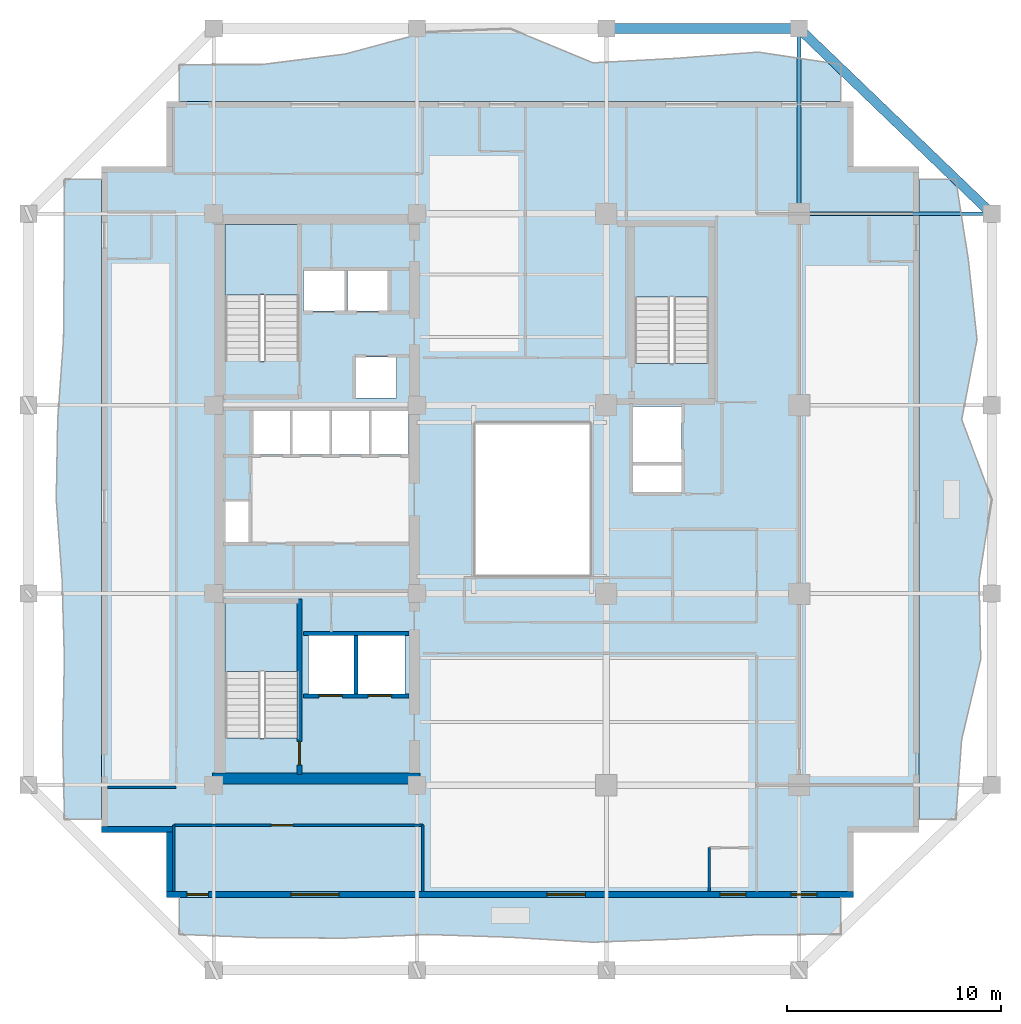
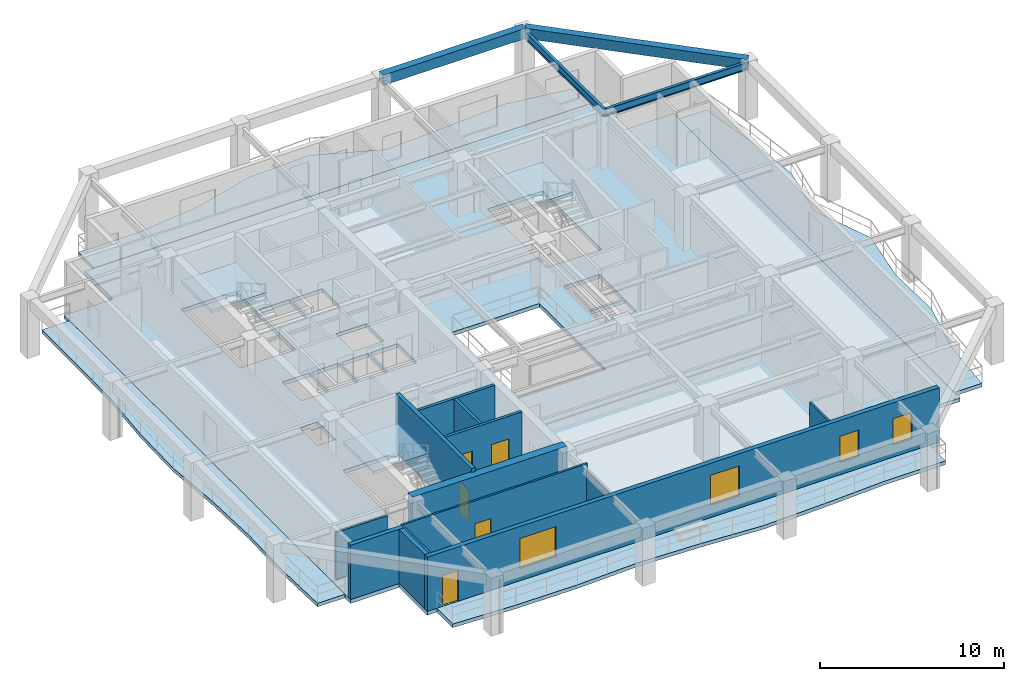
# One storey, part 2 of 10: 13 walls, 8 slabs, 5 doors, 4 beams, 4 windows, 9 openings, 3 elements without a shape of their own.
"""IFC4 building model written with IfcOpenShell, lengths in metres."""

from ifc_helpers import new_model, si_unit, direction, frame, frame_2d, origin, origin_2d, place, context, subcontext, project, spatial, polyline, rectangle, i_section, outline, extrude, material, layer, layer_set, material_profile, profile_set, type_object, element, fill, aggregate, save


model = new_model("IFC4")

# Units and contexts
model_context = context("Model", 3, precision=1e-05, world=origin(), true_north=direction((0.0, 1.0)))
body_context = subcontext(model_context, "Body", "Model", "MODEL_VIEW")
ifc_project = project(units=[si_unit("LENGTHUNIT", "METRE"), si_unit("AREAUNIT", "SQUARE_METRE"), si_unit("VOLUMEUNIT", "CUBIC_METRE"), si_unit("PLANEANGLEUNIT", "RADIAN"), si_unit("MASSUNIT", "GRAM", prefix="KILO")], contexts=[model_context])

# Site, building, storey
site_placement = place(None, origin())
site = spatial("IfcSite", under=ifc_project, at=site_placement, CompositionType="ELEMENT")
building_placement = place(site_placement, origin())
building = spatial("IfcBuilding", under=site, at=building_placement, Name="Kundavana Baori Tower", CompositionType="ELEMENT")
storey_placement = place(building_placement, frame((0.0, 0.0, 111.699951171875)))
storey = spatial("IfcBuildingStorey", under=building, at=storey_placement, Name="L26", CompositionType="ELEMENT", Elevation=111.699951171875)

# Beams
ifc_material_1 = material(Name="Concrete C50/60", Category="concrete")
ifc_material_profile_1 = material_profile(ifc_material_1, rectangle(XDim=0.449951171875, YDim=0.679931640625, at=origin_2d()), Name="RC BM 450x680")
ifc_profile_set_1 = profile_set([ifc_material_profile_1], Name="Concrete C50/60")
beam_type_1 = type_object("IfcBeamType", Name="BM-PF-680", PredefinedType="SPANDREL", material=ifc_profile_set_1)
beam_1_placement = place(storey_placement, frame((33.800048828125, 50.60009765625, 3.510009765625), z_axis=(1.0, 0.0, 0.0), x_axis=(0.0, 1.0, 0.0)))
element("IfcBeam", 1, at=beam_1_placement, inside=storey, type_object=beam_type_1, Name="L26 Perimeter Frame Ring Beam N3", PredefinedType="SPANDREL", context=body_context, shape_type="SweptSolid", body=[
    extrude(rectangle(XDim=0.449951171875, YDim=0.679931640625, at=origin_2d()), origin(), (0.0, 0.0, 1.0), 9.0),
])
beam_2_placement = place(storey_placement, frame((42.800048828125, 50.60009765625, 3.510009765625), z_axis=(0.720981122985, -0.692954702921, 0.0), x_axis=(0.692954702921, 0.720981122985, 0.0)))
element("IfcBeam", 2, at=beam_2_placement, inside=storey, type_object=beam_type_1, Name="L26 Notched Corner Perimeter Beam NE", PredefinedType="SPANDREL", context=body_context, shape_type="SweptSolid", body=[
    extrude(rectangle(XDim=0.449951171875, YDim=0.679931640625, at=origin_2d()), origin(), (0.0, 0.0, 1.0), 12.48291015625),
])
ifc_material_2 = material(Name="Structural Steel S355JR", Category="steel")
ifc_material_profile_2 = material_profile(ifc_material_2, i_section(OverallWidth=0.179931640625, OverallDepth=0.5, WebThickness=0.01025390625, FlangeThickness=0.01708984375, FilletRadius=0.01708984375, at=origin_2d()), Name="ISMB 500")
ifc_profile_set_2 = profile_set([ifc_material_profile_2], Name="Structural Steel S355JR")
beam_type_2 = type_object("IfcBeamType", Name="BM-TIE-500", PredefinedType="BEAM", material=ifc_profile_set_2)
beam_3_placement = place(storey_placement, frame((42.800048828125, 41.949951171875, 3.35009765625), z_axis=(0.0, 1.0, 0.0), x_axis=(-1.0, 0.0, 0.0)))
element("IfcBeam", 3, at=beam_3_placement, inside=storey, type_object=beam_type_2, Name="L26 North Radial Loggia Tie Beam N4", PredefinedType="BEAM", context=body_context, shape_type="SweptSolid", body=[
    extrude(i_section(OverallWidth=0.179931640625, OverallDepth=0.5, WebThickness=0.01025390625, FlangeThickness=0.01708984375, FilletRadius=0.01708984375, at=origin_2d()), origin(), (0.0, 0.0, 1.0), 8.650146484375),
])
beam_4_placement = place(storey_placement, frame((42.800048828125, 41.949951171875, 3.35009765625), z_axis=(1.0, 0.0, 0.0), x_axis=(0.0, 1.0, 0.0)))
element("IfcBeam", 4, at=beam_4_placement, inside=storey, type_object=beam_type_2, Name="L26 East Radial Loggia Tie Beam E4", PredefinedType="BEAM", context=body_context, shape_type="SweptSolid", body=[
    extrude(i_section(OverallWidth=0.179931640625, OverallDepth=0.5, WebThickness=0.01025390625, FlangeThickness=0.01708984375, FilletRadius=0.01708984375, at=origin_2d()), origin(), (0.0, 0.0, 1.0), 9.0),
])

# Slab
ifc_material_3 = material(Name="Concrete C40/50", Category="concrete")
ifc_layer_1 = layer(ifc_material_3, 0.25, Name="SLB-FLR-250")
ifc_layer_set_1 = layer_set([ifc_layer_1], Name="Concrete C40/50")
slab_type_1 = type_object("IfcSlabType", Name="SLB-FLR-250", PredefinedType="FLOOR", material=ifc_layer_set_1)
slab_1_placement = place(storey_placement, frame((0.0, 0.0, -0.25)))
element("IfcSlab", 5, at=slab_1_placement, inside=storey, type_object=slab_type_1, Name="L26 Structural Floor Slab", PredefinedType="FLOOR", context=body_context, shape_type="SweptSolid", body=[
    extrude(outline(polyline([(13.25, 10.0), (45.35009765625, 10.0), (45.35009765625, 13.050048828125), (48.39990234375, 13.050048828125), (48.39990234375, 44.14990234375), (45.35009765625, 44.14990234375), (45.35009765625, 47.199951171875), (13.25, 47.199951171875), (13.25, 44.14990234375), (10.199951171875, 44.14990234375), (10.199951171875, 13.050048828125), (13.25, 13.050048828125), (13.25, 10.0)]), holes=[polyline([(19.43994140625, 17.4619140625), (19.43994140625, 23.85009765625), (15.97998046875, 23.85009765625), (15.97998046875, 17.4619140625), (19.43994140625, 17.4619140625)]), polyline([(19.43994140625, 35.06201171875), (19.43994140625, 41.449951171875), (15.97998046875, 41.449951171875), (15.97998046875, 35.06201171875), (19.43994140625, 35.06201171875)]), polyline([(38.580078125, 34.9619140625), (38.580078125, 41.35009765625), (35.1201171875, 41.35009765625), (35.1201171875, 34.9619140625), (38.580078125, 34.9619140625)]), polyline([(17.300048828125, 30.699951171875), (19.02001953125, 30.699951171875), (19.02001953125, 32.75), (17.300048828125, 32.75), (17.300048828125, 30.699951171875)]), polyline([(19.139892578125, 30.699951171875), (20.860107421875, 30.699951171875), (20.860107421875, 32.75), (19.139892578125, 32.75), (19.139892578125, 30.699951171875)]), polyline([(20.97998046875, 30.699951171875), (22.699951171875, 30.699951171875), (22.699951171875, 32.75), (20.97998046875, 32.75), (20.97998046875, 30.699951171875)]), polyline([(22.820068359375, 30.699951171875), (24.5400390625, 30.699951171875), (24.5400390625, 32.75), (22.820068359375, 32.75), (22.820068359375, 30.699951171875)]), polyline([(19.64990234375, 37.39990234375), (21.550048828125, 37.39990234375), (21.550048828125, 39.300048828125), (19.64990234375, 39.300048828125), (19.64990234375, 37.39990234375)]), polyline([(21.699951171875, 37.39990234375), (23.60009765625, 37.39990234375), (23.60009765625, 39.300048828125), (21.699951171875, 39.300048828125), (21.699951171875, 37.39990234375)]), polyline([(22.10009765625, 33.35009765625), (24.0, 33.35009765625), (24.0, 35.25), (22.10009765625, 35.25), (22.10009765625, 33.35009765625)]), polyline([(19.8798828125, 19.5), (22.02001953125, 19.5), (22.02001953125, 22.25), (19.8798828125, 22.25), (19.8798828125, 19.5)]), polyline([(22.179931640625, 19.5), (24.3798828125, 19.5), (24.3798828125, 22.25), (22.179931640625, 22.25), (22.179931640625, 19.5)]), polyline([(35.050048828125, 30.35009765625), (37.300048828125, 30.35009765625), (37.300048828125, 32.949951171875), (35.050048828125, 32.949951171875), (35.050048828125, 30.35009765625)]), polyline([(15.949951171875, 26.60009765625), (17.080078125, 26.60009765625), (17.080078125, 28.5), (15.949951171875, 28.5), (15.949951171875, 26.60009765625)]), polyline([(35.050048828125, 28.949951171875), (37.300048828125, 28.949951171875), (37.300048828125, 30.199951171875), (35.050048828125, 30.199951171875), (35.050048828125, 28.949951171875)]), polyline([(27.60009765625, 25.0), (33.10009765625, 25.0), (33.10009765625, 32.199951171875), (27.60009765625, 32.199951171875), (27.60009765625, 25.0)])]), origin(), (0.0, 0.0, 1.0), 0.25),
])

# Stair, slab
ifc_material_4 = material(Name="Concrete C40/50", Category="concrete")
stair_type = type_object("IfcStairType", Name="STR-DOG-1650", PredefinedType="HALF_TURN_STAIR", material=ifc_material_4)
stair_1_placement = place(storey_placement, origin())
stair_1 = element("IfcStair", 6, at=stair_1_placement, inside=storey, type_object=stair_type, Name="L26 Protected Exit Stair ST1", PredefinedType="HALF_TURN_STAIR")
ifc_material_5 = material(Name="Concrete C40/50", Category="concrete")
ifc_layer_2 = layer(ifc_material_5, 0.199951171875, Name="SLB-LND-200")
ifc_layer_set_2 = layer_set([ifc_layer_2], Name="Concrete C40/50")
slab_type_2 = type_object("IfcSlabType", Name="SLB-LND-200", PredefinedType="LANDING", material=ifc_layer_set_2)
slab_2_placement = place(storey_placement, frame((0.0, 0.0, 1.72509765625)))
slab_2 = element("IfcSlab", 7, at=slab_2_placement, type_object=slab_type_2, Name="ST1 landing 1", PredefinedType="LANDING", context=body_context, shape_type="SweptSolid", body=[
    extrude(outline(polyline([(19.43994140625, 20.550048828125), (19.43994140625, 23.85009765625), (15.97998046875, 23.85009765625), (15.97998046875, 20.550048828125), (19.43994140625, 20.550048828125)])), origin(), (0.0, 0.0, 1.0), 0.199951171875),
])
aggregate(stair_1, [slab_2])

stair_2_placement = place(storey_placement, origin())
stair_2 = element("IfcStair", 8, at=stair_2_placement, inside=storey, type_object=stair_type, Name="L26 Protected Exit Stair ST2", PredefinedType="HALF_TURN_STAIR")
slab_3_placement = place(storey_placement, frame((0.0, 0.0, 1.72509765625)))
slab_3 = element("IfcSlab", 9, at=slab_3_placement, type_object=slab_type_2, Name="ST2 landing 1", PredefinedType="LANDING", context=body_context, shape_type="SweptSolid", body=[
    extrude(outline(polyline([(19.43994140625, 38.14990234375), (19.43994140625, 41.449951171875), (15.97998046875, 41.449951171875), (15.97998046875, 38.14990234375), (19.43994140625, 38.14990234375)])), origin(), (0.0, 0.0, 1.0), 0.199951171875),
])
aggregate(stair_2, [slab_3])

stair_3_placement = place(storey_placement, origin())
stair_3 = element("IfcStair", 10, at=stair_3_placement, inside=storey, type_object=stair_type, Name="L26 Protected Exit Stair ST3", PredefinedType="HALF_TURN_STAIR")
slab_4_placement = place(storey_placement, frame((0.0, 0.0, 1.72509765625)))
slab_4 = element("IfcSlab", 11, at=slab_4_placement, type_object=slab_type_2, Name="ST3 landing 1", PredefinedType="LANDING", context=body_context, shape_type="SweptSolid", body=[
    extrude(outline(polyline([(38.580078125, 38.050048828125), (38.580078125, 41.35009765625), (35.1201171875, 41.35009765625), (35.1201171875, 38.050048828125), (38.580078125, 38.050048828125)])), origin(), (0.0, 0.0, 1.0), 0.199951171875),
])
aggregate(stair_3, [slab_4])

# Slabs
ifc_material_6 = material(Name="Concrete C40/50", Category="concrete")
ifc_layer_3 = layer(ifc_material_6, 0.239990234375, Name="SLB-LOG-240")
ifc_layer_set_3 = layer_set([ifc_layer_3], Name="Concrete C40/50")
slab_type_3 = type_object("IfcSlabType", Name="SLB-LOG-240", PredefinedType="FLOOR", material=ifc_layer_set_3)
slab_5_placement = place(storey_placement, frame((0.0, 0.0, -0.239990234375)))
element("IfcSlab", 12, at=slab_5_placement, inside=storey, type_object=slab_type_3, Name="L26 Planted Loggia Balcony Slab S", PredefinedType="FLOOR", context=body_context, shape_type="SweptSolid", body=[
    extrude(outline(polyline([(13.85009765625, 10.0), (44.75, 10.0), (44.75, 8.280029296875), (40.886962890625, 8.263916015625), (37.02490234375, 8.053955078125), (33.1630859375, 7.912109375), (29.300048828125, 8.14501953125), (25.43798828125, 8.27294921875), (21.574951171875, 8.10498046875), (17.7119140625, 8.1201171875), (13.85009765625, 8.280029296875), (13.85009765625, 10.0)])), origin(), (0.0, 0.0, 1.0), 0.239990234375),
])
slab_6_placement = place(storey_placement, frame((0.0, 0.0, -0.239990234375)))
element("IfcSlab", 13, at=slab_6_placement, inside=storey, type_object=slab_type_3, Name="L26 Planted Loggia Balcony Slab E", PredefinedType="FLOOR", context=body_context, shape_type="SweptSolid", body=[
    extrude(outline(polyline([(48.39990234375, 13.64990234375), (48.39990234375, 43.550048828125), (50.1201171875, 43.550048828125), (50.70703125, 39.81201171875), (51.113037109375, 36.074951171875), (50.39892578125, 32.3369140625), (51.800048828125, 28.60009765625), (51.2099609375, 24.862060546875), (51.284912109375, 21.125), (50.39697265625, 17.386962890625), (50.1201171875, 13.64990234375), (48.39990234375, 13.64990234375)])), origin(), (0.0, 0.0, 1.0), 0.239990234375),
])
slab_7_placement = place(storey_placement, frame((0.0, 0.0, -0.239990234375)))
element("IfcSlab", 14, at=slab_7_placement, inside=storey, type_object=slab_type_3, Name="L26 Planted Loggia Balcony Slab N", PredefinedType="FLOOR", context=body_context, shape_type="SweptSolid", body=[
    extrude(outline(polyline([(44.75, 47.199951171875), (13.85009765625, 47.199951171875), (13.85009765625, 48.919921875), (17.7119140625, 48.9208984375), (21.574951171875, 49.406005859375), (25.43798828125, 50.443115234375), (29.300048828125, 50.60009765625), (33.1630859375, 48.9990234375), (37.02490234375, 49.2060546875), (40.886962890625, 49.5), (44.75, 48.919921875), (44.75, 47.199951171875)])), origin(), (0.0, 0.0, 1.0), 0.239990234375),
])
slab_8_placement = place(storey_placement, frame((0.0, 0.0, -0.239990234375)))
element("IfcSlab", 15, at=slab_8_placement, inside=storey, type_object=slab_type_3, Name="L26 Planted Loggia Balcony Slab W", PredefinedType="FLOOR", context=body_context, shape_type="SweptSolid", body=[
    extrude(outline(polyline([(10.199951171875, 43.550048828125), (10.199951171875, 13.64990234375), (8.47998046875, 13.64990234375), (8.388916015625, 17.386962890625), (8.47412109375, 21.125), (8.364990234375, 24.862060546875), (8.092041015625, 28.60009765625), (8.162109375, 32.3369140625), (8.430908203125, 36.074951171875), (8.466064453125, 39.81201171875), (8.47998046875, 43.550048828125), (10.199951171875, 43.550048828125)])), origin(), (0.0, 0.0, 1.0), 0.239990234375),
])

# Wall, opening, door
ifc_material_7 = material(Name="Concrete C50/60", Category="concrete")
ifc_layer_4 = layer(ifc_material_7, 0.39990234375, Name="WL-CORE-400")
ifc_layer_set_4 = layer_set([ifc_layer_4], Name="Concrete C50/60")
wall_type_1 = type_object("IfcWallType", Name="WL-CORE-400", PredefinedType="SHEAR", material=ifc_layer_set_4)
wall_1_placement = place(storey_placement, frame((19.4599609375, 15.739990234375, 0.0), z_axis=(0.0, 0.0, 1.0), x_axis=(0.0, 1.0, 0.0)))
wall_1 = element("IfcWall", 16, at=wall_1_placement, inside=storey, type_object=wall_type_1, Name="WL-L26-ST1-E", PredefinedType="SHEAR", context=body_context, shape_type="SweptSolid", body=[
    extrude(rectangle(XDim=8.199951171875, YDim=0.239990234375, at=frame_2d((4.10009765625, 0.0))), origin(), (0.0, 0.0, 1.0), 3.85009765625),
])
opening_1_placement = place(wall_1_placement, frame((0.449951171875, 0.0, 0.0)))
opening_1 = element("IfcOpeningElement", 17, at=opening_1_placement, cuts=wall_1, Name="Opening FD-110", PredefinedType="OPENING", context=body_context, shape_type="SweptSolid", body=[
    extrude(rectangle(XDim=1.10009765625, YDim=2.10009765625, at=frame_2d((0.550048828125, 1.050048828125))), frame((0.0, 0.1298828125, 0.0), z_axis=(0.0, -1.0, 0.0), x_axis=(1.0, 0.0, 0.0)), (0.0, 0.0, 1.0), 0.260009765625),
])
ifc_material_8 = material(Name="Galvanised Steel Fire-Rated Door Leaf", Category="steel")
door_type_1 = type_object("IfcDoorType", Name="DR-FD120-1100", OperationType="NOTDEFINED", PredefinedType="DOOR", material=ifc_material_8)
door_1_placement = place(opening_1_placement, origin())
door_1 = element("IfcDoor", 18, at=door_1_placement, inside=storey, type_object=door_type_1, Name="DR-L26-ST1", OperationType="SINGLE_SWING_LEFT", OverallHeight=2.10009765625, OverallWidth=1.10009765625, PredefinedType="DOOR", context=body_context, shape_type="SweptSolid", body=[
    extrude(rectangle(XDim=1.10009765625, YDim=2.10009765625, at=frame_2d((0.550048828125, 1.050048828125))), frame((0.0, 0.02490234375, 0.0), z_axis=(0.0, -1.0, 0.0), x_axis=(1.0, 0.0, 0.0)), (0.0, 0.0, 1.0), 0.050048828125),
])
fill(opening_1, door_1)

# Wall
ifc_material_9 = material(Name="Concrete C50/60", Category="concrete")
ifc_layer_5 = layer(ifc_material_9, 0.5, Name="WL-CORE-500")
ifc_layer_set_5 = layer_set([ifc_layer_5], Name="Concrete C50/60")
wall_type_2 = type_object("IfcWallType", Name="WL-CORE-500", PredefinedType="SHEAR", material=ifc_layer_set_5)
wall_2_placement = place(storey_placement, frame((15.39990234375, 15.56005859375, 0.0), z_axis=(0.0, 0.0, 1.0), x_axis=(1.0, 0.0, 0.0)))
element("IfcWall", 19, at=wall_2_placement, inside=storey, type_object=wall_type_2, Name="L26 Offset Core South Shear Wall", PredefinedType="SHEAR", context=body_context, shape_type="SweptSolid", body=[
    extrude(rectangle(XDim=9.68017578125, YDim=0.5, at=frame_2d((4.840087890625, 0.0))), origin(), (0.0, 0.0, 1.0), 3.60009765625),
])

# Wall, openings, door, windows
ifc_material_10 = material(Name="Red-Buff Dholpur Sandstone Cladding on Concrete C40/50", Category="masonry")
ifc_layer_6 = layer(ifc_material_10, 0.280029296875, Name="WL-EXT-SAND-280")
ifc_layer_set_6 = layer_set([ifc_layer_6], Name="Red-Buff Dholpur Sandstone Cladding on Concrete C40/50")
wall_type_3 = type_object("IfcWallType", Name="WL-EXT-SAND-280", PredefinedType="STANDARD", material=ifc_layer_set_6)
wall_3_placement = place(storey_placement, frame((13.25, 10.139892578125, 0.0), z_axis=(0.0, 0.0, 1.0), x_axis=(1.0, 0.0, 0.0)))
wall_3 = element("IfcWall", 20, at=wall_3_placement, inside=storey, type_object=wall_type_3, Name="L26 Exterior Insulated Facade Wall 01", PredefinedType="STANDARD", context=body_context, shape_type="SweptSolid", body=[
    extrude(rectangle(XDim=32.10009765625, YDim=0.280029296875, at=frame_2d((16.050048828125, 0.0))), origin(), (0.0, 0.0, 1.0), 3.60009765625),
])
opening_2_placement = place(wall_3_placement, frame((0.949951171875, 0.0, 0.0)))
opening_2 = element("IfcOpeningElement", 21, at=opening_2_placement, cuts=wall_3, Name="Opening BD-1", PredefinedType="OPENING", context=body_context, shape_type="SweptSolid", body=[
    extrude(rectangle(XDim=1.0, YDim=2.050048828125, at=frame_2d((0.5, 1.02490234375))), frame((0.0, 0.14990234375, 0.0), z_axis=(0.0, -1.0, 0.0), x_axis=(1.0, 0.0, 0.0)), (0.0, 0.0, 1.0), 0.300048828125),
])
opening_3_placement = place(wall_3_placement, frame((5.804931640625, 0.0, 0.800048828125)))
opening_3 = element("IfcOpeningElement", 22, at=opening_3_placement, cuts=wall_3, Name="Opening W-10", PredefinedType="OPENING", context=body_context, shape_type="SweptSolid", body=[
    extrude(rectangle(XDim=2.25, YDim=2.0, at=frame_2d((1.125, 1.0))), frame((0.0, 0.14990234375, 0.0), z_axis=(0.0, -1.0, 0.0), x_axis=(1.0, 0.0, 0.0)), (0.0, 0.0, 1.0), 0.300048828125),
])
opening_4_placement = place(wall_3_placement, frame((17.764892578125, 0.0, 0.800048828125)))
opening_4 = element("IfcOpeningElement", 23, at=opening_4_placement, cuts=wall_3, Name="Opening W-01", PredefinedType="OPENING", context=body_context, shape_type="SweptSolid", body=[
    extrude(rectangle(XDim=1.800048828125, YDim=2.0, at=frame_2d((0.89990234375, 1.0))), frame((0.0, 0.14990234375, 0.0), z_axis=(0.0, -1.0, 0.0), x_axis=(1.0, 0.0, 0.0)), (0.0, 0.0, 1.0), 0.300048828125),
])
opening_5_placement = place(wall_3_placement, frame((25.864990234375, 0.0, 0.800048828125)))
opening_5 = element("IfcOpeningElement", 24, at=opening_5_placement, cuts=wall_3, Name="Opening W-03", PredefinedType="OPENING", context=body_context, shape_type="SweptSolid", body=[
    extrude(rectangle(XDim=1.199951171875, YDim=1.75, at=frame_2d((0.60009765625, 0.875))), frame((0.0, 0.14990234375, 0.0), z_axis=(0.0, -1.0, 0.0), x_axis=(1.0, 0.0, 0.0)), (0.0, 0.0, 1.0), 0.300048828125),
])
opening_6_placement = place(wall_3_placement, frame((29.179931640625, 0.0, 0.800048828125)))
opening_6 = element("IfcOpeningElement", 25, at=opening_6_placement, cuts=wall_3, Name="Opening W-03", PredefinedType="OPENING", context=body_context, shape_type="SweptSolid", body=[
    extrude(rectangle(XDim=1.199951171875, YDim=1.75, at=frame_2d((0.60009765625, 0.875))), frame((0.0, 0.14990234375, 0.0), z_axis=(0.0, -1.0, 0.0), x_axis=(1.0, 0.0, 0.0)), (0.0, 0.0, 1.0), 0.300048828125),
])
ifc_material_11 = material(Name="Architectural Patinated Bronze Metalwork")
door_type_2 = type_object("IfcDoorType", Name="DR-EXT-LOG-1000", OperationType="NOTDEFINED", PredefinedType="DOOR", material=ifc_material_11)
door_2_placement = place(opening_2_placement, frame((1.0, 0.0, 0.0), z_axis=(0.0, 0.0, 1.0), x_axis=(-1.0, 0.0, 0.0)))
door_2 = element("IfcDoor", 26, at=door_2_placement, inside=storey, type_object=door_type_2, Name="L26 Loggia Balcony Access Door S", OperationType="SINGLE_SWING_LEFT", OverallHeight=2.050048828125, OverallWidth=1.0, PredefinedType="DOOR", context=body_context, shape_type="SweptSolid", body=[
    extrude(rectangle(XDim=1.0, YDim=2.050048828125, at=frame_2d((0.5, 1.02490234375))), frame((0.0, 0.02490234375, 0.0), z_axis=(0.0, -1.0, 0.0), x_axis=(1.0, 0.0, 0.0)), (0.0, 0.0, 1.0), 0.050048828125),
])
fill(opening_2, door_2)
ifc_material_12 = material(Name="Double-Glazed Solar-Control Low-E Insulated Glass", Category="glass")
window_type_1 = type_object("IfcWindowType", Name="WIN-LOG-1200x1750", PartitioningType="SINGLE_PANEL", PredefinedType="WINDOW", material=ifc_material_12)
window_1_placement = place(opening_5_placement, origin())
window_1 = element("IfcWindow", 27, at=window_1_placement, inside=storey, type_object=window_type_1, Name="L26 Recessed Loggia Window S-3", OverallHeight=1.75, OverallWidth=1.199951171875, PartitioningType="SINGLE_PANEL", PredefinedType="WINDOW", context=body_context, shape_type="SweptSolid", body=[
    extrude(rectangle(XDim=1.199951171875, YDim=1.75, at=frame_2d((0.60009765625, 0.875))), frame((0.0, 0.030029296875, 0.0), z_axis=(0.0, -1.0, 0.0), x_axis=(1.0, 0.0, 0.0)), (0.0, 0.0, 1.0), 0.06005859375),
])
fill(opening_5, window_1)
window_2_placement = place(opening_6_placement, origin())
window_2 = element("IfcWindow", 28, at=window_2_placement, inside=storey, type_object=window_type_1, Name="L26 Recessed Loggia Window S-4", OverallHeight=1.75, OverallWidth=1.199951171875, PartitioningType="SINGLE_PANEL", PredefinedType="WINDOW", context=body_context, shape_type="SweptSolid", body=[
    extrude(rectangle(XDim=1.199951171875, YDim=1.75, at=frame_2d((0.60009765625, 0.875))), frame((0.0, 0.030029296875, 0.0), z_axis=(0.0, -1.0, 0.0), x_axis=(1.0, 0.0, 0.0)), (0.0, 0.0, 1.0), 0.06005859375),
])
fill(opening_6, window_2)
ifc_material_13 = material(Name="Double-Glazed Solar-Control Low-E Insulated Glass", Category="glass")
window_type_2 = type_object("IfcWindowType", Name="WIN-LOG-1800x2000", PartitioningType="SINGLE_PANEL", PredefinedType="WINDOW", material=ifc_material_13)
window_3_placement = place(opening_4_placement, origin())
window_3 = element("IfcWindow", 29, at=window_3_placement, inside=storey, type_object=window_type_2, Name="L26 Recessed Loggia Window S-2", OverallHeight=2.0, OverallWidth=1.800048828125, PartitioningType="SINGLE_PANEL", PredefinedType="WINDOW", context=body_context, shape_type="SweptSolid", body=[
    extrude(rectangle(XDim=1.800048828125, YDim=2.0, at=frame_2d((0.89990234375, 1.0))), frame((0.0, 0.030029296875, 0.0), z_axis=(0.0, -1.0, 0.0), x_axis=(1.0, 0.0, 0.0)), (0.0, 0.0, 1.0), 0.06005859375),
])
fill(opening_4, window_3)
ifc_material_14 = material(Name="Double-Glazed Solar-Control Low-E Insulated Glass", Category="glass")
window_type_3 = type_object("IfcWindowType", Name="WIN-LOG-2250x2000", PartitioningType="SINGLE_PANEL", PredefinedType="WINDOW", material=ifc_material_14)
window_4_placement = place(opening_3_placement, origin())
window_4 = element("IfcWindow", 30, at=window_4_placement, inside=storey, type_object=window_type_3, Name="L26 Recessed Loggia Window S-1", OverallHeight=2.0, OverallWidth=2.25, PartitioningType="SINGLE_PANEL", PredefinedType="WINDOW", context=body_context, shape_type="SweptSolid", body=[
    extrude(rectangle(XDim=2.25, YDim=2.0, at=frame_2d((1.125, 1.0))), frame((0.0, 0.030029296875, 0.0), z_axis=(0.0, -1.0, 0.0), x_axis=(1.0, 0.0, 0.0)), (0.0, 0.0, 1.0), 0.06005859375),
])
fill(opening_3, window_4)

# Walls
wall_4_placement = place(storey_placement, frame((10.199951171875, 13.18994140625, 0.0), z_axis=(0.0, 0.0, 1.0), x_axis=(1.0, 0.0, 0.0)))
element("IfcWall", 31, at=wall_4_placement, inside=storey, type_object=wall_type_3, Name="L26 Exterior Insulated Facade Wall 11", PredefinedType="STANDARD", context=body_context, shape_type="SweptSolid", body=[
    extrude(rectangle(XDim=3.330078125, YDim=0.280029296875, at=frame_2d((1.6650390625, 0.0))), origin(), (0.0, 0.0, 1.0), 3.60009765625),
])
wall_5_placement = place(storey_placement, frame((13.389892578125, 13.050048828125, 0.0), z_axis=(0.0, 0.0, 1.0), x_axis=(0.0, -1.0, 0.0)))
element("IfcWall", 32, at=wall_5_placement, inside=storey, type_object=wall_type_3, Name="L26 Exterior Insulated Facade Wall 12", PredefinedType="STANDARD", context=body_context, shape_type="SweptSolid", body=[
    extrude(rectangle(XDim=2.77001953125, YDim=0.280029296875, at=frame_2d((1.385009765625, 0.0))), origin(), (0.0, 0.0, 1.0), 3.60009765625),
])
ifc_material_15 = material(Name="Acoustic Gypsum Plasterboard on Galvanised Steel Studs", Category="steel")
ifc_layer_7 = layer(ifc_material_15, 0.1201171875, Name="WL-PART-120")
ifc_layer_set_7 = layer_set([ifc_layer_7], Name="Acoustic Gypsum Plasterboard on Galvanised Steel Studs")
wall_type_4 = type_object("IfcWallType", Name="WL-PART-120", PredefinedType="PARTITIONING", material=ifc_layer_set_7)
wall_6_placement = place(storey_placement, frame((10.47998046875, 15.159912109375, 0.0), z_axis=(0.0, 0.0, 1.0), x_axis=(1.0, 0.0, 0.0)))
element("IfcWall", 33, at=wall_6_placement, inside=storey, type_object=wall_type_4, Name="WL-L26-HWS", PredefinedType="PARTITIONING", context=body_context, shape_type="SweptSolid", body=[
    extrude(rectangle(XDim=3.219970703125, YDim=0.1201171875, at=frame_2d((1.60986328125, 0.0))), origin(), (0.0, 0.0, 1.0), 3.10009765625),
])

# Wall, opening, door
wall_7_placement = place(storey_placement, frame((13.590087890625, 13.3798828125, 0.0), z_axis=(0.0, 0.0, 1.0), x_axis=(1.0, 0.0, 0.0)))
wall_7 = element("IfcWall", 34, at=wall_7_placement, inside=storey, type_object=wall_type_4, Name="WL-L26-HSC", PredefinedType="PARTITIONING", context=body_context, shape_type="SweptSolid", body=[
    extrude(rectangle(XDim=11.6298828125, YDim=0.1201171875, at=frame_2d((5.81494140625, 0.0))), origin(), (0.0, 0.0, 1.0), 3.60009765625),
])
opening_7_placement = place(wall_7_placement, frame((4.56005859375, 0.0, 0.0)))
opening_7 = element("IfcOpeningElement", 35, at=opening_7_placement, cuts=wall_7, Name="Opening ID-100", PredefinedType="OPENING", context=body_context, shape_type="SweptSolid", body=[
    extrude(rectangle(XDim=1.0, YDim=2.080078125, at=frame_2d((0.5, 1.0400390625))), frame((0.0, 0.070068359375, 0.0), z_axis=(0.0, -1.0, 0.0), x_axis=(1.0, 0.0, 0.0)), (0.0, 0.0, 1.0), 0.14013671875),
])
ifc_material_16 = material(Name="Engineered Teak Solid-Core Timber Veneer", Category="wood")
door_type_3 = type_object("IfcDoorType", Name="DR-INT-1000", OperationType="NOTDEFINED", PredefinedType="DOOR", material=ifc_material_16)
door_3_placement = place(opening_7_placement, frame((1.0, 0.0, 0.0), z_axis=(0.0, 0.0, 1.0), x_axis=(-1.0, 0.0, 0.0)))
door_3 = element("IfcDoor", 36, at=door_3_placement, inside=storey, type_object=door_type_3, Name="DR-L26-HMSW", OperationType="SINGLE_SWING_LEFT", OverallHeight=2.080078125, OverallWidth=1.0, PredefinedType="DOOR", context=body_context, shape_type="SweptSolid", body=[
    extrude(rectangle(XDim=1.0, YDim=2.080078125, at=frame_2d((0.5, 1.0400390625))), frame((0.0, 0.02490234375, 0.0), z_axis=(0.0, -1.0, 0.0), x_axis=(1.0, 0.0, 0.0)), (0.0, 0.0, 1.0), 0.050048828125),
])
fill(opening_7, door_3)

# Walls
wall_8_placement = place(storey_placement, frame((13.590087890625, 10.280029296875, 0.0), z_axis=(0.0, 0.0, 1.0), x_axis=(0.0, 1.0, 0.0)))
element("IfcWall", 37, at=wall_8_placement, inside=storey, type_object=wall_type_4, Name="WL-L26-HSCW", PredefinedType="PARTITIONING", context=body_context, shape_type="SweptSolid", body=[
    extrude(rectangle(XDim=3.099853515625, YDim=0.1201171875, at=frame_2d((1.5498046875, 0.0))), origin(), (0.0, 0.0, 1.0), 3.60009765625),
])
wall_9_placement = place(storey_placement, frame((25.219970703125, 10.280029296875, 0.0), z_axis=(0.0, 0.0, 1.0), x_axis=(0.0, 1.0, 0.0)))
element("IfcWall", 38, at=wall_9_placement, inside=storey, type_object=wall_type_4, Name="WL-L26-HSCE", PredefinedType="PARTITIONING", context=body_context, shape_type="SweptSolid", body=[
    extrude(rectangle(XDim=3.099853515625, YDim=0.1201171875, at=frame_2d((1.5498046875, 0.0))), origin(), (0.0, 0.0, 1.0), 3.10009765625),
])

# Wall, openings, doors
ifc_material_17 = material(Name="Autoclaved Aerated Concrete Blockwork Masonry", Category="masonry")
ifc_layer_8 = layer(ifc_material_17, 0.179931640625, Name="WL-SHAFT-180")
ifc_layer_set_8 = layer_set([ifc_layer_8], Name="Autoclaved Aerated Concrete Blockwork Masonry")
wall_type_5 = type_object("IfcWallType", Name="WL-SHAFT-180", PredefinedType="SOLIDWALL", material=ifc_layer_set_8)
wall_10_placement = place(storey_placement, frame((19.639892578125, 19.419921875, 0.0), z_axis=(0.0, 0.0, 1.0), x_axis=(1.0, 0.0, 0.0)))
wall_10 = element("IfcWall", 39, at=wall_10_placement, inside=storey, type_object=wall_type_5, Name="WL-L26-FFL-S", PredefinedType="SOLIDWALL", context=body_context, shape_type="SweptSolid", body=[
    extrude(rectangle(XDim=4.940185546875, YDim=0.179931640625, at=frame_2d((2.47021484375, 0.0))), origin(), (0.0, 0.0, 1.0), 3.60009765625),
])
opening_8_placement = place(wall_10_placement, frame((0.719970703125, 0.0, 0.0)))
opening_8 = element("IfcOpeningElement", 40, at=opening_8_placement, cuts=wall_10, Name="Opening LD-110", PredefinedType="OPENING", context=body_context, shape_type="SweptSolid", body=[
    extrude(rectangle(XDim=1.10009765625, YDim=2.10009765625, at=frame_2d((0.550048828125, 1.050048828125))), frame((0.0, 0.10009765625, 0.0), z_axis=(0.0, -1.0, 0.0), x_axis=(1.0, 0.0, 0.0)), (0.0, 0.0, 1.0), 0.199951171875),
])
opening_9_placement = place(wall_10_placement, frame((3.02001953125, 0.0, 0.0)))
opening_9 = element("IfcOpeningElement", 41, at=opening_9_placement, cuts=wall_10, Name="Opening LD-110", PredefinedType="OPENING", context=body_context, shape_type="SweptSolid", body=[
    extrude(rectangle(XDim=1.10009765625, YDim=2.10009765625, at=frame_2d((0.550048828125, 1.050048828125))), frame((0.0, 0.10009765625, 0.0), z_axis=(0.0, -1.0, 0.0), x_axis=(1.0, 0.0, 0.0)), (0.0, 0.0, 1.0), 0.199951171875),
])
ifc_material_18 = material(Name="Galvanised Steel Fire-Rated Door Leaf", Category="steel")
door_type_4 = type_object("IfcDoorType", Name="DR-SLIDE-LD1100", OperationType="NOTDEFINED", PredefinedType="DOOR", material=ifc_material_18)
door_4_placement = place(opening_8_placement, origin())
door_4 = element("IfcDoor", 42, at=door_4_placement, inside=storey, type_object=door_type_4, Name="DR-L26-LD-FFL-1", OperationType="DOUBLE_DOOR_SLIDING", OverallHeight=2.10009765625, OverallWidth=1.10009765625, PredefinedType="DOOR", context=body_context, shape_type="SweptSolid", body=[
    extrude(rectangle(XDim=1.10009765625, YDim=2.10009765625, at=frame_2d((0.550048828125, 1.050048828125))), frame((0.0, 0.02490234375, 0.0), z_axis=(0.0, -1.0, 0.0), x_axis=(1.0, 0.0, 0.0)), (0.0, 0.0, 1.0), 0.050048828125),
])
fill(opening_8, door_4)
door_5_placement = place(opening_9_placement, origin())
door_5 = element("IfcDoor", 43, at=door_5_placement, inside=storey, type_object=door_type_4, Name="DR-L26-LD-FFL-2", OperationType="DOUBLE_DOOR_SLIDING", OverallHeight=2.10009765625, OverallWidth=1.10009765625, PredefinedType="DOOR", context=body_context, shape_type="SweptSolid", body=[
    extrude(rectangle(XDim=1.10009765625, YDim=2.10009765625, at=frame_2d((0.550048828125, 1.050048828125))), frame((0.0, 0.02490234375, 0.0), z_axis=(0.0, -1.0, 0.0), x_axis=(1.0, 0.0, 0.0)), (0.0, 0.0, 1.0), 0.050048828125),
])
fill(opening_9, door_5)

# Walls
wall_11_placement = place(storey_placement, frame((22.10009765625, 19.510009765625, 0.0), z_axis=(0.0, 0.0, 1.0), x_axis=(0.0, 1.0, 0.0)))
element("IfcWall", 44, at=wall_11_placement, inside=storey, type_object=wall_type_5, Name="WL-L26-FFL-MID", PredefinedType="SOLIDWALL", context=body_context, shape_type="SweptSolid", body=[
    extrude(rectangle(XDim=2.739990234375, YDim=0.179931640625, at=frame_2d((1.3701171875, 0.0))), origin(), (0.0, 0.0, 1.0), 3.60009765625),
])
wall_12_placement = place(storey_placement, frame((19.639892578125, 22.340087890625, 0.0), z_axis=(0.0, 0.0, 1.0), x_axis=(1.0, 0.0, 0.0)))
element("IfcWall", 45, at=wall_12_placement, inside=storey, type_object=wall_type_5, Name="WL-L26-FFL-N", PredefinedType="SOLIDWALL", context=body_context, shape_type="SweptSolid", body=[
    extrude(rectangle(XDim=4.940185546875, YDim=0.179931640625, at=frame_2d((2.47021484375, 0.0))), origin(), (0.0, 0.0, 1.0), 3.60009765625),
])
ifc_material_19 = material(Name="Autoclaved Aerated Concrete Blockwork Masonry", Category="masonry")
ifc_layer_9 = layer(ifc_material_19, 0.125, Name="WL-WET-120")
ifc_layer_set_9 = layer_set([ifc_layer_9], Name="Autoclaved Aerated Concrete Blockwork Masonry")
wall_type_6 = type_object("IfcWallType", Name="WL-WET-120", PredefinedType="PLUMBINGWALL", material=ifc_layer_set_9)
wall_13_placement = place(storey_placement, frame((38.610107421875, 10.280029296875, 0.0), z_axis=(0.0, 0.0, 1.0), x_axis=(0.0, 1.0, 0.0)))
element("IfcWall", 46, at=wall_13_placement, inside=storey, type_object=wall_type_6, Name="WL-L26-HK-S1-BW", PredefinedType="PLUMBINGWALL", context=body_context, shape_type="SweptSolid", body=[
    extrude(rectangle(XDim=2.050048828125, YDim=0.125, at=frame_2d((1.02490234375, 0.0))), origin(), (0.0, 0.0, 1.0), 3.60009765625),
])

save(model, "model.ifc")
